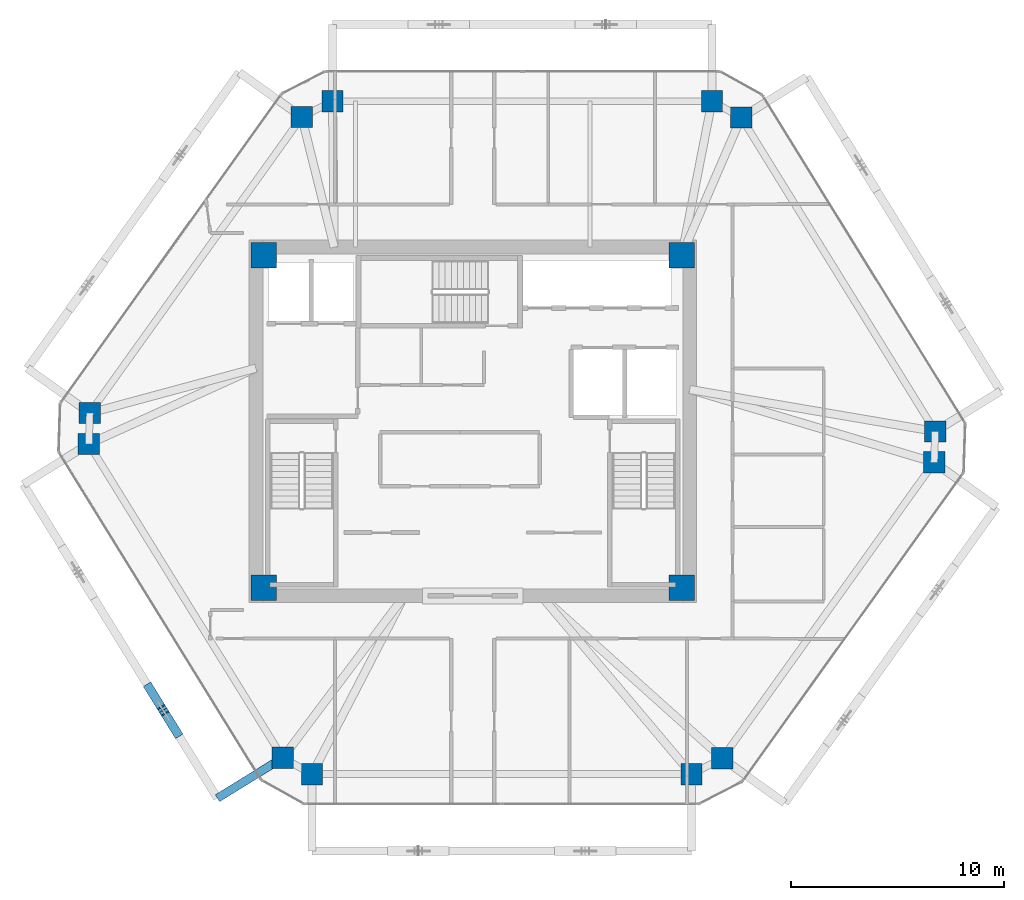
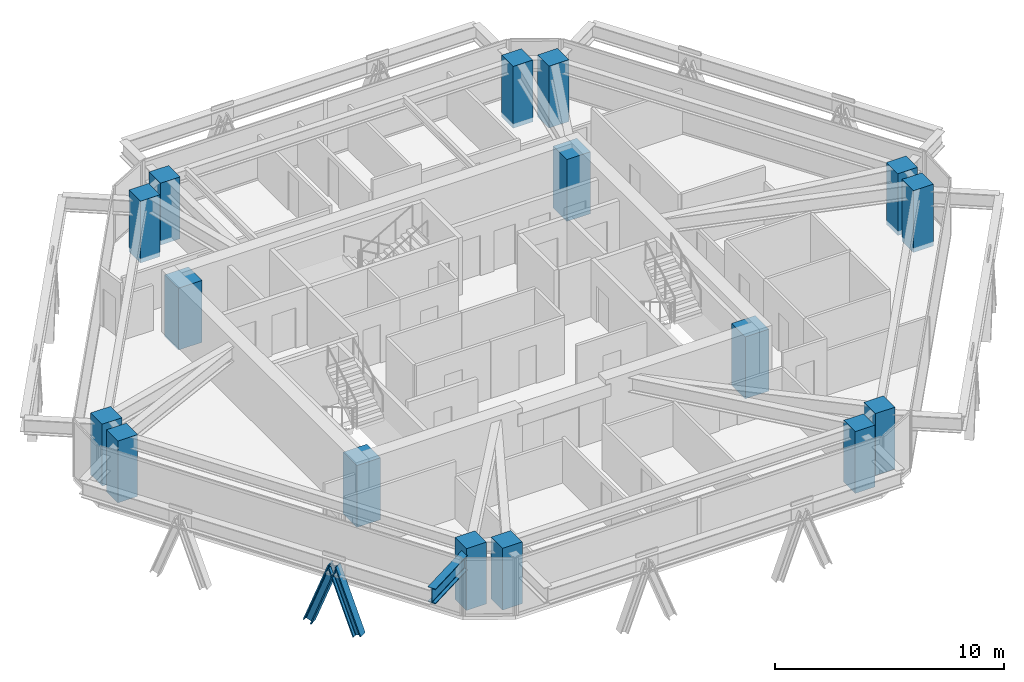
# One storey, part 1 of 14: 16 columns, 2 members, 1 beam.
"""IFC4 building model written with IfcOpenShell, lengths in metres."""

from ifc_helpers import new_model, si_unit, direction, frame, origin, origin_2d, place, context, subcontext, project, spatial, rectangle, i_section, extrude, source, transform, mapped, material, material_profile, profile_set, type_object, type_shapes, element, save


model = new_model("IFC4")

# Units and contexts
model_context = context("Model", 3, precision=1e-05, world=origin(), true_north=direction((0.0, 1.0)))
body_context = subcontext(model_context, "Body", "Model", "MODEL_VIEW")
ifc_project = project(units=[si_unit("LENGTHUNIT", "METRE"), si_unit("AREAUNIT", "SQUARE_METRE"), si_unit("VOLUMEUNIT", "CUBIC_METRE"), si_unit("PLANEANGLEUNIT", "RADIAN"), si_unit("MASSUNIT", "GRAM", prefix="KILO")], contexts=[model_context])

# Site, building, storey
site_placement = place(None, origin())
site = spatial("IfcSite", under=ifc_project, at=site_placement, CompositionType="ELEMENT")
building_placement = place(site_placement, origin())
building = spatial("IfcBuilding", under=site, at=building_placement, Name="Durnholm Broadcast Tower", CompositionType="ELEMENT")
storey_placement = place(building_placement, frame((0.0, 0.0, 173.800048828125)))
storey = spatial("IfcBuildingStorey", under=building, at=storey_placement, Name="L47", CompositionType="ELEMENT", Elevation=173.800048828125)

# Columns
ifc_material_1 = material(Name="Concrete C70/85", Category="concrete")
ifc_material_profile_1 = material_profile(ifc_material_1, rectangle(XDim=1.199951171875, YDim=1.199951171875, at=origin_2d()), Name="RC1200X1200")
ifc_profile_set_1 = profile_set([ifc_material_profile_1], Name="Concrete C70/85")
column_type_1 = type_object("IfcColumnType", Name="COL-CC-1200", PredefinedType="COLUMN", material=ifc_profile_set_1)
shared_shape_1 = source(origin(), body_context, "Body", "SweptSolid", [
    extrude(rectangle(XDim=1.199951171875, YDim=1.199951171875, at=origin_2d()), origin(), (0.0, 0.0, 1.0), 3.300048828125),
])
type_shapes(column_type_1, [shared_shape_1])
for number, where, z_axis, x_axis, name in (
    (1, (-9.800048828125, -7.800048828125, -0.239990234375), (0.0, 0.0, 1.0), (1.0, 0.0, 0.0), "L47 core corner column 1"),
    (2, (9.800048828125, -7.800048828125, -0.239990234375), (0.0, 0.0, 1.0), (1.0, 0.0, 0.0), "L47 core corner column 2"),
    (3, (9.800048828125, 7.800048828125, -0.239990234375), (0.0, 0.0, 1.0), (1.0, 0.0, 0.0), "L47 core corner column 3"),
    (4, (-9.800048828125, 7.800048828125, -0.239990234375), (0.0, 0.0, 1.0), (1.0, 0.0, 0.0), "L47 core corner column 4"),
):
    element("IfcColumn", number, at=place(storey_placement, frame(where, z_axis=z_axis, x_axis=x_axis)), inside=storey, type_object=column_type_1, Name=name, PredefinedType="COLUMN", context=body_context, shape_type="MappedRepresentation", body=[
        mapped(shared_shape_1, transform((0.0, 0.0, 0.0), x_axis=(1.0, 0.0, 0.0), y_axis=(0.0, 1.0, 0.0), z_axis=(0.0, 0.0, 1.0), scale=1.0)),
    ])
ifc_material_profile_2 = material_profile(ifc_material_1, rectangle(XDim=1.0, YDim=1.0, at=origin_2d()), Name="RC1000X1000")
ifc_profile_set_2 = profile_set([ifc_material_profile_2], Name="Concrete C70/85")
column_type_2 = type_object("IfcColumnType", Name="COL-CC-1000", PredefinedType="COLUMN", material=ifc_profile_set_2)
shared_shape_2 = source(origin(), body_context, "Body", "SweptSolid", [
    extrude(rectangle(XDim=1.0, YDim=1.0, at=origin_2d()), origin(), (0.0, 0.0, 1.0), 3.300048828125),
])
type_shapes(column_type_2, [shared_shape_2])
for number, where, z_axis, x_axis, name in (
    (5, (-8.91259765625, -15.7763671875, -0.239990234375), (0.0, 0.0, 1.0), (1.0, 0.0, 0.0), "L47 perimeter hexagonal tube column 01"),
    (6, (-18.009033203125, -1.056640625, -0.239990234375), (0.0, 0.0, 1.0), (1.0, 0.0, 0.0), "L47 perimeter hexagonal tube column 02"),
    (7, (-17.9599609375, 0.3955078125, -0.239990234375), (0.0, 0.0, 1.0), (1.0, 0.0, 0.0), "L47 perimeter hexagonal tube column 03"),
    (8, (-8.021728515625, 14.2763671875, -0.239990234375), (0.0, 0.0, 1.0), (1.0, 0.0, 0.0), "L47 perimeter hexagonal tube column 04"),
    (9, (-6.57861328125, 15.01806640625, -0.239990234375), (0.0, 0.0, 1.0), (1.0, 0.0, 0.0), "L47 perimeter hexagonal tube column 05"),
    (10, (11.217529296875, 15.01806640625, -0.239990234375), (0.0, 0.0, 1.0), (1.0, 0.0, 0.0), "L47 perimeter hexagonal tube column 06"),
    (11, (12.5908203125, 14.252197265625, -0.239990234375), (0.0, 0.0, 1.0), (1.0, 0.0, 0.0), "L47 perimeter hexagonal tube column 07"),
    (12, (21.68701171875, -0.46728515625, -0.239990234375), (0.0, 0.0, 1.0), (1.0, 0.0, 0.0), "L47 perimeter hexagonal tube column 08"),
    (13, (21.637939453125, -1.919677734375, -0.239990234375), (0.0, 0.0, 1.0), (1.0, 0.0, 0.0), "L47 perimeter hexagonal tube column 09"),
    (14, (11.69970703125, -15.80029296875, -0.239990234375), (0.0, 0.0, 1.0), (1.0, 0.0, 0.0), "L47 perimeter hexagonal tube column 10"),
    (15, (10.256591796875, -16.5419921875, -0.239990234375), (0.0, 0.0, 1.0), (1.0, 0.0, 0.0), "L47 perimeter hexagonal tube column 11"),
    (16, (-7.53955078125, -16.5419921875, -0.239990234375), (0.0, 0.0, 1.0), (1.0, 0.0, 0.0), "L47 perimeter hexagonal tube column 12"),
):
    element("IfcColumn", number, at=place(storey_placement, frame(where, z_axis=z_axis, x_axis=x_axis)), inside=storey, type_object=column_type_2, Name=name, PredefinedType="COLUMN", context=body_context, shape_type="MappedRepresentation", body=[
        mapped(shared_shape_2, transform((0.0, 0.0, 0.0), x_axis=(1.0, 0.0, 0.0), y_axis=(0.0, 1.0, 0.0), z_axis=(0.0, 0.0, 1.0), scale=1.0)),
    ])

# Beam
ifc_material_2 = material(Name="Steel ASTM A992 Grade 50", Category="steel")
ifc_material_profile_3 = material_profile(ifc_material_2, i_section(OverallWidth=0.385009765625, OverallDepth=0.802978515625, WebThickness=0.023681640625, FlangeThickness=0.0419921875, FilletRadius=0.032958984375, at=origin_2d()), Name="W30X261")
ifc_profile_set_3 = profile_set([ifc_material_profile_3], Name="Steel ASTM A992 Grade 50")
beam_type = type_object("IfcBeamType", Name="BM-EXO-TIE", PredefinedType="USERDEFINED", material=ifc_profile_set_3)
shared_shape_3 = source(origin(), body_context, "Body", "SweptSolid", [
    extrude(i_section(OverallWidth=0.385009765625, OverallDepth=0.802978515625, WebThickness=0.023681640625, FlangeThickness=0.0419921875, FilletRadius=0.032958984375, at=origin_2d()), origin(), (0.0, 0.0, 1.0), 3.4560546875),
])
type_shapes(beam_type, [shared_shape_3])
beam_placement = place(storey_placement, frame((-9.03515625, -15.85205078125, 2.30859375), z_axis=(-0.850693939061, -0.525661318764, 0.0), x_axis=(0.525661318764, -0.850693939061, 0.0)))
element("IfcBeam", 17, at=beam_placement, inside=storey, type_object=beam_type, Name="L47 exoskeleton stand-off tie bracket F6.2", ObjectType="GIRDER", PredefinedType="USERDEFINED", context=body_context, shape_type="MappedRepresentation", body=[
    mapped(shared_shape_3, transform((0.0, 0.0, 0.0), x_axis=(1.0, 0.0, 0.0), y_axis=(0.0, 1.0, 0.0), z_axis=(0.0, 0.0, 1.0), scale=1.0)),
])

# Members
ifc_material_3 = material(Name="Steel ASTM A913 Grade 65", Category="steel")
ifc_material_profile_4 = material_profile(ifc_material_3, i_section(OverallWidth=0.412109375, OverallDepth=0.434814453125, WebThickness=0.035888671875, FlangeThickness=0.057373046875, FilletRadius=0.030517578125, at=origin_2d()), Name="W14X311")
ifc_profile_set_4 = profile_set([ifc_material_profile_4], Name="Steel ASTM A913 Grade 65")
member_type = type_object("IfcMemberType", Name="STL-DG-W14X311", PredefinedType="BRACE", material=ifc_profile_set_4)
shared_shape_4 = source(origin(), body_context, "Body", "SweptSolid", [
    extrude(i_section(OverallWidth=0.412109375, OverallDepth=0.434814453125, WebThickness=0.035888671875, FlangeThickness=0.057373046875, FilletRadius=0.030517578125, at=origin_2d()), origin(), (0.0, 0.0, 1.0), 3.523193359375),
])
type_shapes(member_type, [shared_shape_4])
for number, where, z_axis, x_axis, name in (
    (18, (-15.170654296875, -12.497802734375, -0.991455078125), (0.184052089489, -0.297906601172, 0.936683770188), (0.850732935913, 0.525598203719, 0.0), "L47 stand-off diagrid brace F6.D2.1"),
    (19, (-13.87353515625, -14.596923828125, -0.991455078125), (-0.18411903749, 0.297902800967, 0.936671821509), (-0.850644447398, -0.525741404219, 0.0), "L47 stand-off diagrid brace F6.D2.2"),
):
    element("IfcMember", number, at=place(storey_placement, frame(where, z_axis=z_axis, x_axis=x_axis)), inside=storey, type_object=member_type, Name=name, PredefinedType="BRACE", context=body_context, shape_type="MappedRepresentation", body=[
        mapped(shared_shape_4, transform((0.0, 0.0, 0.0), x_axis=(1.0, 0.0, 0.0), y_axis=(0.0, 1.0, 0.0), z_axis=(0.0, 0.0, 1.0), scale=1.0)),
    ])

save(model, "model.ifc")
